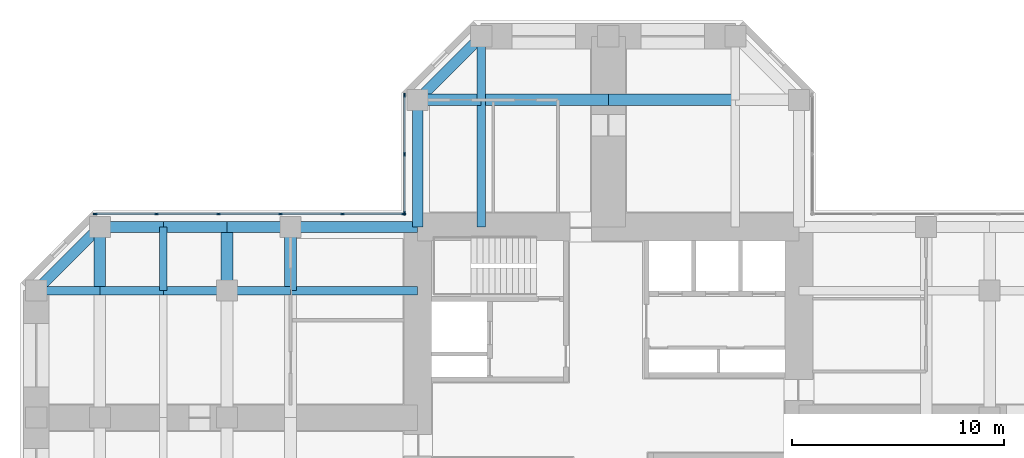
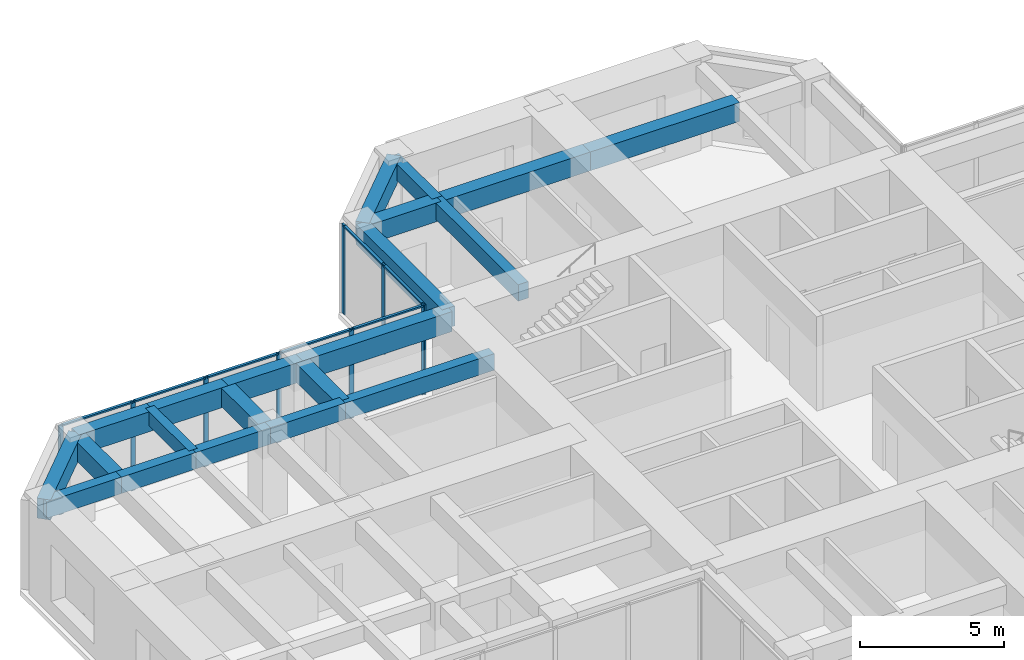
# One storey, part 5 of 12: 21 beams, 16 members, 2 elements without a shape of their own.
"""IFC4 building model written with IfcOpenShell, lengths in metres."""

from ifc_helpers import new_model, si_unit, direction, frame, origin, origin_2d, place, context, subcontext, project, spatial, rectangle, extrude, material, material_profile, profile_set, type_object, element, aggregate, save


model = new_model("IFC4")

# Units and contexts
model_context = context("Model", 3, precision=1e-05, world=origin(), true_north=direction((0.0, 1.0)))
body_context = subcontext(model_context, "Body", "Model", "MODEL_VIEW")
ifc_project = project(units=[si_unit("LENGTHUNIT", "METRE"), si_unit("AREAUNIT", "SQUARE_METRE"), si_unit("VOLUMEUNIT", "CUBIC_METRE"), si_unit("PLANEANGLEUNIT", "RADIAN"), si_unit("MASSUNIT", "GRAM", prefix="KILO")], contexts=[model_context])

# Site, building, storey
site_placement = place(None, origin())
site = spatial("IfcSite", under=ifc_project, at=site_placement, CompositionType="ELEMENT")
building_placement = place(site_placement, origin())
building = spatial("IfcBuilding", under=site, at=building_placement, Name="Torre Cruceta", CompositionType="ELEMENT")
storey_placement = place(building_placement, frame((0.0, 0.0, 120.5)))
storey = spatial("IfcBuildingStorey", under=building, at=storey_placement, Name="L29", CompositionType="ELEMENT", Elevation=120.5)

# Beams
ifc_material_1 = material(Name="Concrete G60 (fck 60 MPa)", Category="concrete")
ifc_material_profile_1 = material_profile(ifc_material_1, rectangle(XDim=0.39990234375, YDim=0.699951171875, at=origin_2d()), Name="RC 400X700")
ifc_profile_set_1 = profile_set([ifc_material_profile_1], Name="Concrete G60 (fck 60 MPa)")
beam_type_1 = type_object("IfcBeamType", Name="COLUMN LINE BEAM RC 400X700", PredefinedType="BEAM", material=ifc_profile_set_1)
beam_1_placement = place(storey_placement, frame((-6.0, 9.0, 3.449951171875), z_axis=(0.0, 1.0, 0.0), x_axis=(-1.0, 0.0, 0.0)))
element("IfcBeam", 1, at=beam_1_placement, inside=storey, type_object=beam_type_1, Name="LB5 L29 N col+ 1", PredefinedType="BEAM", context=body_context, shape_type="SweptSolid", body=[
    extrude(rectangle(XDim=0.39990234375, YDim=0.699951171875, at=origin_2d()), origin(), (0.0, 0.0, 1.0), 6.0),
])
beam_2_placement = place(storey_placement, frame((-6.0, 15.0, 3.449951171875), z_axis=(0.0, 1.0, 0.0), x_axis=(-1.0, 0.0, 0.0)))
element("IfcBeam", 2, at=beam_2_placement, inside=storey, type_object=beam_type_1, Name="LB5 L29 N col+ 2", PredefinedType="BEAM", context=body_context, shape_type="SweptSolid", body=[
    extrude(rectangle(XDim=0.39990234375, YDim=0.699951171875, at=origin_2d()), origin(), (0.0, 0.0, 1.0), 3.0),
])
beam_3_placement = place(storey_placement, frame((-9.0, 6.0, 3.449951171875), z_axis=(-1.0, 0.0, 0.0), x_axis=(0.0, -1.0, 0.0)))
element("IfcBeam", 3, at=beam_3_placement, inside=storey, type_object=beam_type_1, Name="LB5 L29 W col- 1", PredefinedType="BEAM", context=body_context, shape_type="SweptSolid", body=[
    extrude(rectangle(XDim=0.39990234375, YDim=0.699951171875, at=origin_2d()), origin(), (0.0, 0.0, 1.0), 6.0),
])
for number, where, z_axis, x_axis, name in (
    (4, (-15.0, 6.0, 3.449951171875), (-1.0, 0.0, 0.0), (0.0, -1.0, 0.0), "LB5 L29 W col- 2"),
    (5, (-18.0, 6.0, 3.449951171875), (-1.0, 0.0, 0.0), (0.0, -1.0, 0.0), "LB5 L29 W col- 3"),
    (6, (-21.0, 6.0, 3.449951171875), (-1.0, 0.0, 0.0), (0.0, -1.0, 0.0), "LB5 L29 W col- 4"),
    (7, (-24.0, 6.0, 3.449951171875), (-1.0, 0.0, 0.0), (0.0, -1.0, 0.0), "LB5 L29 W col- 5"),
):
    element("IfcBeam", number, at=place(storey_placement, frame(where, z_axis=z_axis, x_axis=x_axis)), inside=storey, type_object=beam_type_1, Name=name, PredefinedType="BEAM", context=body_context, shape_type="SweptSolid", body=[
        extrude(rectangle(XDim=0.39990234375, YDim=0.699951171875, at=origin_2d()), origin(), (0.0, 0.0, 1.0), 3.0),
    ])
ifc_material_2 = material(Name="Concrete G60 (fck 60 MPa)", Category="concrete")
ifc_material_profile_2 = material_profile(ifc_material_2, rectangle(XDim=0.550048828125, YDim=0.800048828125, at=origin_2d()), Name="RC 550X800")
ifc_profile_set_2 = profile_set([ifc_material_profile_2], Name="Concrete G60 (fck 60 MPa)")
beam_type_2 = type_object("IfcBeamType", Name="CROSS BEAM RC 550X800", PredefinedType="BEAM", material=ifc_profile_set_2)
for number, where, z_axis, x_axis, name in (
    (8, (6.0, 15.0, 3.39990234375), (-1.0, 0.0, 0.0), (0.0, -1.0, 0.0), "GB5 L29 N cross15 2"),
    (9, (0.0, 15.0, 3.39990234375), (-1.0, 0.0, 0.0), (0.0, -1.0, 0.0), "GB5 L29 N cross15 3"),
):
    element("IfcBeam", number, at=place(storey_placement, frame(where, z_axis=z_axis, x_axis=x_axis)), inside=storey, type_object=beam_type_2, Name=name, PredefinedType="BEAM", context=body_context, shape_type="SweptSolid", body=[
        extrude(rectangle(XDim=0.550048828125, YDim=0.800048828125, at=origin_2d()), origin(), (0.0, 0.0, 1.0), 6.0),
    ])
for number, where, z_axis, x_axis, name in (
    (10, (-6.0, 15.0, 3.39990234375), (-1.0, 0.0, 0.0), (0.0, -1.0, 0.0), "GB5 L29 N cross15 4"),
    (11, (-15.0, 9.0, 3.39990234375), (0.0, -1.0, 0.0), (1.0, 0.0, 0.0), "GB5 L29 W cross15 1"),
    (12, (-18.0, 9.0, 3.39990234375), (0.0, -1.0, 0.0), (1.0, 0.0, 0.0), "GB5 L29 W cross18 1"),
    (13, (-24.0, 9.0, 3.39990234375), (0.0, -1.0, 0.0), (1.0, 0.0, 0.0), "GB5 L29 W cross24 1"),
):
    element("IfcBeam", number, at=place(storey_placement, frame(where, z_axis=z_axis, x_axis=x_axis)), inside=storey, type_object=beam_type_2, Name=name, PredefinedType="BEAM", context=body_context, shape_type="SweptSolid", body=[
        extrude(rectangle(XDim=0.550048828125, YDim=0.800048828125, at=origin_2d()), origin(), (0.0, 0.0, 1.0), 3.0),
    ])

# Curtain wall, members
ifc_material_3 = material(Name="Aluminium unitised curtain wall", Category="aluminium")
curtain_wall_type = type_object("IfcCurtainWallType", Name="CURTAIN WALL CW-B OFFICE MID RISE", PredefinedType="USERDEFINED", material=ifc_material_3)
curtain_wall_1_placement = place(storey_placement, origin())
curtain_wall_1 = element("IfcCurtainWall", 14, at=curtain_wall_1_placement, inside=storey, type_object=curtain_wall_type, Name="CW-B L29 N side 09", ObjectType="UNITISED", PredefinedType="USERDEFINED")
ifc_material_4 = material(Name="Aluminium mullion", Category="aluminium")
ifc_material_profile_3 = material_profile(ifc_material_4, rectangle(XDim=0.06494140625, YDim=0.179931640625, at=origin_2d()), Name="AL 65X180")
ifc_profile_set_3 = profile_set([ifc_material_profile_3], Name="Aluminium mullion")
member_type_1 = type_object("IfcMemberType", Name="CW-B MULLION 65X180", PredefinedType="MULLION", material=ifc_profile_set_3)
member_1_placement = place(storey_placement, frame((-9.6201171875, 15.224365234375, 0.0), z_axis=(0.0, 0.0, 1.0), x_axis=(1.0, 0.0, 0.0)))
member_1 = element("IfcMember", 15, at=member_1_placement, type_object=member_type_1, Name="CW-B mullion 1", PredefinedType="MULLION", context=body_context, shape_type="SweptSolid", body=[
    extrude(rectangle(XDim=0.06494140625, YDim=0.179931640625, at=origin_2d()), origin(), (0.0, 0.0, 1.0), 3.800048828125),
])
member_2_placement = place(storey_placement, frame((-9.6201171875, 12.4384765625, 0.0), z_axis=(0.0, 0.0, 1.0), x_axis=(1.0, 0.0, 0.0)))
member_2 = element("IfcMember", 16, at=member_2_placement, type_object=member_type_1, Name="CW-B mullion 2", PredefinedType="MULLION", context=body_context, shape_type="SweptSolid", body=[
    extrude(rectangle(XDim=0.06494140625, YDim=0.179931640625, at=origin_2d()), origin(), (0.0, 0.0, 1.0), 3.800048828125),
])
member_3_placement = place(storey_placement, frame((-9.6201171875, 9.652587890625, 0.0), z_axis=(0.0, 0.0, 1.0), x_axis=(1.0, 0.0, 0.0)))
member_3 = element("IfcMember", 17, at=member_3_placement, type_object=member_type_1, Name="CW-B mullion 3", PredefinedType="MULLION", context=body_context, shape_type="SweptSolid", body=[
    extrude(rectangle(XDim=0.06494140625, YDim=0.179931640625, at=origin_2d()), origin(), (0.0, 0.0, 1.0), 3.800048828125),
])

curtain_wall_2_placement = place(storey_placement, origin())
curtain_wall_2 = element("IfcCurtainWall", 18, at=curtain_wall_2_placement, inside=storey, type_object=curtain_wall_type, Name="CW-B L29 W side 10", ObjectType="UNITISED", PredefinedType="USERDEFINED")
member_4_placement = place(storey_placement, frame((-9.652587890625, 9.6201171875, 0.0), z_axis=(0.0, 0.0, 1.0), x_axis=(0.0, -1.0, 0.0)))
member_4 = element("IfcMember", 19, at=member_4_placement, type_object=member_type_1, Name="CW-B mullion 1", PredefinedType="MULLION", context=body_context, shape_type="SweptSolid", body=[
    extrude(rectangle(XDim=0.06494140625, YDim=0.179931640625, at=origin_2d()), origin(), (0.0, 0.0, 1.0), 3.800048828125),
])
member_5_placement = place(storey_placement, frame((-12.54736328125, 9.6201171875, 0.0), z_axis=(0.0, 0.0, 1.0), x_axis=(0.0, -1.0, 0.0)))
member_5 = element("IfcMember", 20, at=member_5_placement, type_object=member_type_1, Name="CW-B mullion 2", PredefinedType="MULLION", context=body_context, shape_type="SweptSolid", body=[
    extrude(rectangle(XDim=0.06494140625, YDim=0.179931640625, at=origin_2d()), origin(), (0.0, 0.0, 1.0), 3.800048828125),
])
member_6_placement = place(storey_placement, frame((-15.474609375, 9.6201171875, 0.0), z_axis=(0.0, 0.0, 1.0), x_axis=(0.0, -1.0, 0.0)))
member_6 = element("IfcMember", 21, at=member_6_placement, type_object=member_type_1, Name="CW-B mullion 3", PredefinedType="MULLION", context=body_context, shape_type="SweptSolid", body=[
    extrude(rectangle(XDim=0.06494140625, YDim=0.179931640625, at=origin_2d()), origin(), (0.0, 0.0, 1.0), 3.800048828125),
])
member_7_placement = place(storey_placement, frame((-18.402099609375, 9.6201171875, 0.0), z_axis=(0.0, 0.0, 1.0), x_axis=(0.0, -1.0, 0.0)))
member_7 = element("IfcMember", 22, at=member_7_placement, type_object=member_type_1, Name="CW-B mullion 4", PredefinedType="MULLION", context=body_context, shape_type="SweptSolid", body=[
    extrude(rectangle(XDim=0.06494140625, YDim=0.179931640625, at=origin_2d()), origin(), (0.0, 0.0, 1.0), 3.800048828125),
])
member_8_placement = place(storey_placement, frame((-21.329345703125, 9.6201171875, 0.0), z_axis=(0.0, 0.0, 1.0), x_axis=(0.0, -1.0, 0.0)))
member_8 = element("IfcMember", 23, at=member_8_placement, type_object=member_type_1, Name="CW-B mullion 5", PredefinedType="MULLION", context=body_context, shape_type="SweptSolid", body=[
    extrude(rectangle(XDim=0.06494140625, YDim=0.179931640625, at=origin_2d()), origin(), (0.0, 0.0, 1.0), 3.800048828125),
])
member_9_placement = place(storey_placement, frame((-24.224365234375, 9.6201171875, 0.0), z_axis=(0.0, 0.0, 1.0), x_axis=(0.0, -1.0, 0.0)))
member_9 = element("IfcMember", 24, at=member_9_placement, type_object=member_type_1, Name="CW-B mullion 6", PredefinedType="MULLION", context=body_context, shape_type="SweptSolid", body=[
    extrude(rectangle(XDim=0.06494140625, YDim=0.179931640625, at=origin_2d()), origin(), (0.0, 0.0, 1.0), 3.800048828125),
])

# Member
ifc_material_5 = material(Name="Aluminium transom", Category="aluminium")
ifc_material_profile_4 = material_profile(ifc_material_5, rectangle(XDim=0.110107421875, YDim=0.06494140625, at=origin_2d()), Name="AL 110X65")
ifc_profile_set_4 = profile_set([ifc_material_profile_4], Name="Aluminium transom")
member_type_2 = type_object("IfcMemberType", Name="CW-B TRANSOM 65X110", PredefinedType="USERDEFINED", material=ifc_profile_set_4)
member_10_placement = place(storey_placement, frame((-9.6201171875, 15.19189453125, 3.767578125), z_axis=(0.0, -1.0, 0.0), x_axis=(1.0, 0.0, 0.0)))
member_10 = element("IfcMember", 25, at=member_10_placement, type_object=member_type_2, Name="CW-B transom 1", ObjectType="TRANSOM", PredefinedType="USERDEFINED", context=body_context, shape_type="SweptSolid", body=[
    extrude(rectangle(XDim=0.110107421875, YDim=0.06494140625, at=origin_2d()), origin(), (0.0, 0.0, 1.0), 2.720947265625),
])

member_11_placement = place(storey_placement, frame((-9.6201171875, 12.406005859375, 3.767578125), z_axis=(0.0, -1.0, 0.0), x_axis=(1.0, 0.0, 0.0)))
member_11 = element("IfcMember", 26, at=member_11_placement, type_object=member_type_2, Name="CW-B transom 2", ObjectType="TRANSOM", PredefinedType="USERDEFINED", context=body_context, shape_type="SweptSolid", body=[
    extrude(rectangle(XDim=0.110107421875, YDim=0.06494140625, at=origin_2d()), origin(), (0.0, 0.0, 1.0), 2.720947265625),
])

aggregate(curtain_wall_1, [member_1, member_2, member_3, member_10, member_11])

member_12_placement = place(storey_placement, frame((-9.68505859375, 9.6201171875, 3.767578125), z_axis=(-1.0, 0.0, 0.0), x_axis=(0.0, -1.0, 0.0)))
member_12 = element("IfcMember", 27, at=member_12_placement, type_object=member_type_2, Name="CW-B transom 1", ObjectType="TRANSOM", PredefinedType="USERDEFINED", context=body_context, shape_type="SweptSolid", body=[
    extrude(rectangle(XDim=0.110107421875, YDim=0.06494140625, at=origin_2d()), origin(), (0.0, 0.0, 1.0), 2.829833984375),
])

member_13_placement = place(storey_placement, frame((-12.579833984375, 9.6201171875, 3.767578125), z_axis=(-1.0, 0.0, 0.0), x_axis=(0.0, -1.0, 0.0)))
member_13 = element("IfcMember", 28, at=member_13_placement, type_object=member_type_2, Name="CW-B transom 2", ObjectType="TRANSOM", PredefinedType="USERDEFINED", context=body_context, shape_type="SweptSolid", body=[
    extrude(rectangle(XDim=0.110107421875, YDim=0.06494140625, at=origin_2d()), origin(), (0.0, 0.0, 1.0), 2.8623046875),
])

member_14_placement = place(storey_placement, frame((-15.50732421875, 9.6201171875, 3.767578125), z_axis=(-1.0, 0.0, 0.0), x_axis=(0.0, -1.0, 0.0)))
member_14 = element("IfcMember", 29, at=member_14_placement, type_object=member_type_2, Name="CW-B transom 3", ObjectType="TRANSOM", PredefinedType="USERDEFINED", context=body_context, shape_type="SweptSolid", body=[
    extrude(rectangle(XDim=0.110107421875, YDim=0.06494140625, at=origin_2d()), origin(), (0.0, 0.0, 1.0), 2.8623046875),
])

member_15_placement = place(storey_placement, frame((-18.4345703125, 9.6201171875, 3.767578125), z_axis=(-1.0, 0.0, 0.0), x_axis=(0.0, -1.0, 0.0)))
member_15 = element("IfcMember", 30, at=member_15_placement, type_object=member_type_2, Name="CW-B transom 4", ObjectType="TRANSOM", PredefinedType="USERDEFINED", context=body_context, shape_type="SweptSolid", body=[
    extrude(rectangle(XDim=0.110107421875, YDim=0.06494140625, at=origin_2d()), origin(), (0.0, 0.0, 1.0), 2.8623046875),
])

member_16_placement = place(storey_placement, frame((-21.362060546875, 9.6201171875, 3.767578125), z_axis=(-1.0, 0.0, 0.0), x_axis=(0.0, -1.0, 0.0)))
member_16 = element("IfcMember", 31, at=member_16_placement, type_object=member_type_2, Name="CW-B transom 5", ObjectType="TRANSOM", PredefinedType="USERDEFINED", context=body_context, shape_type="SweptSolid", body=[
    extrude(rectangle(XDim=0.110107421875, YDim=0.06494140625, at=origin_2d()), origin(), (0.0, 0.0, 1.0), 2.829833984375),
])

aggregate(curtain_wall_2, [member_4, member_5, member_6, member_7, member_8, member_9, member_12, member_13, member_14, member_15, member_16])

# Beams
ifc_material_6 = material(Name="Concrete G60 (fck 60 MPa)", Category="concrete")
ifc_material_profile_5 = material_profile(ifc_material_6, rectangle(XDim=0.35009765625, YDim=0.60009765625, at=origin_2d()), Name="RC 350X600")
ifc_profile_set_5 = profile_set([ifc_material_profile_5], Name="Concrete G60 (fck 60 MPa)")
beam_type_3 = type_object("IfcBeamType", Name="SECONDARY BEAM RC 350X600", PredefinedType="JOIST", material=ifc_profile_set_5)
beam_4_placement = place(storey_placement, frame((-21.0, 9.0, 3.5), z_axis=(0.0, -1.0, 0.0), x_axis=(1.0, 0.0, 0.0)))
element("IfcBeam", 32, at=beam_4_placement, inside=storey, type_object=beam_type_3, Name="JB5 L29 W sec21 1", PredefinedType="JOIST", context=body_context, shape_type="SweptSolid", body=[
    extrude(rectangle(XDim=0.35009765625, YDim=0.60009765625, at=origin_2d()), origin(), (0.0, 0.0, 1.0), 3.0),
])
ifc_material_7 = material(Name="Concrete G60 (fck 60 MPa)", Category="concrete")
ifc_material_profile_6 = material_profile(ifc_material_7, rectangle(XDim=0.5, YDim=0.85009765625, at=origin_2d()), Name="RC 500X850")
ifc_profile_set_6 = profile_set([ifc_material_profile_6], Name="Concrete G60 (fck 60 MPa)")
beam_type_4 = type_object("IfcBeamType", Name="SPANDREL BEAM RC 500X850", PredefinedType="SPANDREL", material=ifc_profile_set_6)
beam_5_placement = place(storey_placement, frame((-9.0, 9.0, 3.375), z_axis=(0.0, 1.0, 0.0), x_axis=(-1.0, 0.0, 0.0)))
element("IfcBeam", 33, at=beam_5_placement, inside=storey, type_object=beam_type_4, Name="SB5 L29 N side+ 1", PredefinedType="SPANDREL", context=body_context, shape_type="SweptSolid", body=[
    extrude(rectangle(XDim=0.5, YDim=0.85009765625, at=origin_2d()), origin(), (0.0, 0.0, 1.0), 6.0),
])
beam_6_placement = place(storey_placement, frame((-9.0, 15.0, 3.375), z_axis=(0.707106781187, 0.707106781187, 0.0), x_axis=(-0.707106781187, 0.707106781187, 0.0)))
element("IfcBeam", 34, at=beam_6_placement, inside=storey, type_object=beam_type_4, Name="SB5 L29 N side+ 2", PredefinedType="SPANDREL", context=body_context, shape_type="SweptSolid", body=[
    extrude(rectangle(XDim=0.5, YDim=0.85009765625, at=origin_2d()), origin(), (0.0, 0.0, 1.0), 4.24267578125),
])
beam_7_placement = place(storey_placement, frame((-9.0, 9.0, 3.375), z_axis=(-1.0, 0.0, 0.0), x_axis=(0.0, -1.0, 0.0)))
element("IfcBeam", 35, at=beam_7_placement, inside=storey, type_object=beam_type_4, Name="SB5 L29 W side- 1", PredefinedType="SPANDREL", context=body_context, shape_type="SweptSolid", body=[
    extrude(rectangle(XDim=0.5, YDim=0.85009765625, at=origin_2d()), origin(), (0.0, 0.0, 1.0), 6.0),
])
for number, where, z_axis, x_axis, name in (
    (36, (-15.0, 9.0, 3.375), (-1.0, 0.0, 0.0), (0.0, -1.0, 0.0), "SB5 L29 W side- 2"),
    (37, (-18.0, 9.0, 3.375), (-1.0, 0.0, 0.0), (0.0, -1.0, 0.0), "SB5 L29 W side- 3"),
    (38, (-21.0, 9.0, 3.375), (-1.0, 0.0, 0.0), (0.0, -1.0, 0.0), "SB5 L29 W side- 4"),
):
    element("IfcBeam", number, at=place(storey_placement, frame(where, z_axis=z_axis, x_axis=x_axis)), inside=storey, type_object=beam_type_4, Name=name, PredefinedType="SPANDREL", context=body_context, shape_type="SweptSolid", body=[
        extrude(rectangle(XDim=0.5, YDim=0.85009765625, at=origin_2d()), origin(), (0.0, 0.0, 1.0), 3.0),
    ])
beam_8_placement = place(storey_placement, frame((-24.0, 9.0, 3.375), z_axis=(-0.707106781187, -0.707106781187, 0.0), x_axis=(0.707106781187, -0.707106781187, 0.0)))
element("IfcBeam", 39, at=beam_8_placement, inside=storey, type_object=beam_type_4, Name="SB5 L29 W side- 5", PredefinedType="SPANDREL", context=body_context, shape_type="SweptSolid", body=[
    extrude(rectangle(XDim=0.5, YDim=0.85009765625, at=origin_2d()), origin(), (0.0, 0.0, 1.0), 4.24267578125),
])

save(model, "model.ifc")
